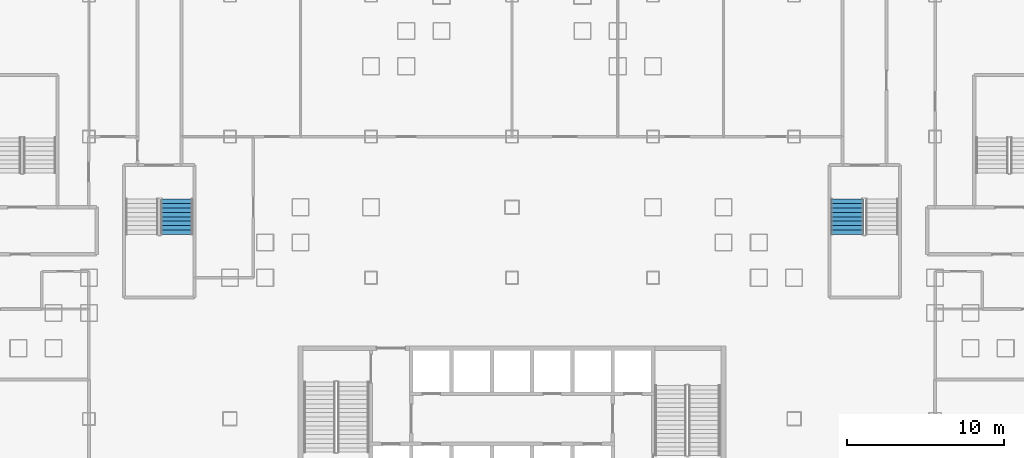
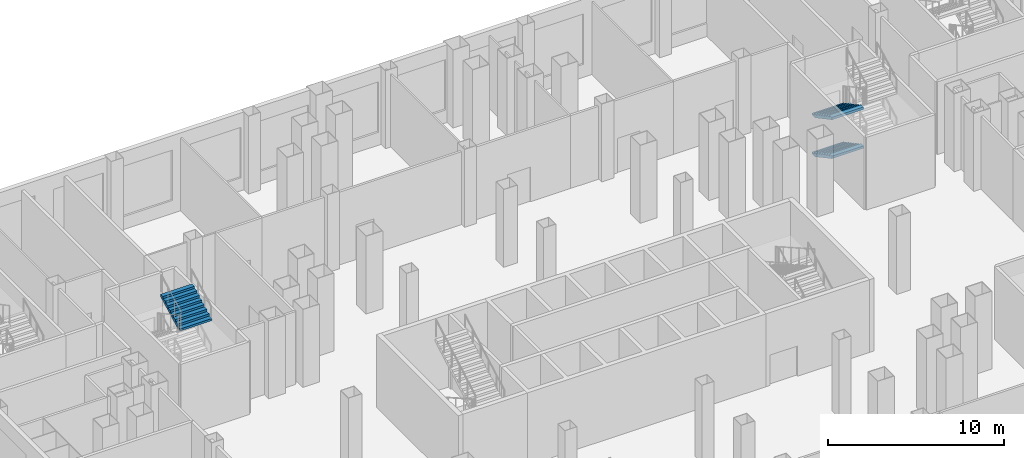
# One storey, part 17 of 26: 3 stair flights, 2 elements without a shape of their own.
"""IFC4 building model written with IfcOpenShell, lengths in metres."""

import ifcopenshell
import ifcopenshell.guid

model = None  # the IFC model being written
_history = None  # IfcOwnerHistory: only IFC2X3 demands one
_inside = {}  # id of a spatial element -> (the spatial element, [elements in it])
_under = {}  # id of a project, library or spatial element -> (it, [spatial elements below it])
_declared = {}  # id of a project -> (the project, [libraries it declares])
_typed = {}  # id of a type object -> (the type object, [elements of that type])
_made_of = {}  # id of a material, layer set ... -> (it, [elements and type objects made of it])


def new_model(schema):
    """Start an empty IFC model of exactly this schema.

    Asked for "IFC4X3", IfcOpenShell would pick the latest addendum, in which some entities
    have other attributes; the version numbers below select the first issue.
    IFC2X3 requires an IfcOwnerHistory on every rooted entity: one is made here for all.
    """
    global model, _history
    if schema == "IFC4X3":
        model = ifcopenshell.file(schema_version=(4, 3, 0, 0))
    else:
        model = ifcopenshell.file(schema=schema)
    _inside.clear()
    _under.clear()
    _declared.clear()
    _typed.clear()
    _made_of.clear()
    _history = None
    if model.schema == "IFC2X3":
        org = make("IfcOrganization", Name="unknown")
        user = make(
            "IfcPersonAndOrganization",
            ThePerson=make("IfcPerson", FamilyName="unknown"),
            TheOrganization=org,
        )
        app = make(
            "IfcApplication",
            ApplicationDeveloper=org,
            Version="unknown",
            ApplicationFullName="unknown",
            ApplicationIdentifier="unknown",
        )
        _history = make(
            "IfcOwnerHistory",
            OwningUser=user,
            OwningApplication=app,
            ChangeAction="ADDED",
            CreationDate=0,
        )
    return model


def make(cls, **values):
    """One entity of the class cls with the attributes given. An attribute that is None is left unset."""
    return model.create_entity(
        cls, **{name: value for name, value in values.items() if value is not None}
    )


def rooted(cls, **values):
    """An entity with a GlobalId (a new one), such as an element, a storey or a relation."""
    return make(cls, GlobalId=ifcopenshell.guid.new(), OwnerHistory=_history, **values)


def si_unit(unit_type, name, prefix=None):
    """IfcSIUnit, for example si_unit("LENGTHUNIT", "METRE", prefix="MILLI")."""
    return make("IfcSIUnit", UnitType=unit_type, Prefix=prefix, Name=name)


def assignment(units):
    """IfcUnitAssignment: the units of a project."""
    return None if units is None else make("IfcUnitAssignment", Units=units)


def point(xyz):
    """IfcCartesianPoint."""
    return None if xyz is None else make("IfcCartesianPoint", Coordinates=xyz)


def direction(xyz):
    """IfcDirection."""
    return None if xyz is None else make("IfcDirection", DirectionRatios=xyz)


def frame(location, z_axis=None, x_axis=None):
    """IfcAxis2Placement3D, a coordinate frame: its origin and axes. An axis left out is left unset."""
    return make(
        "IfcAxis2Placement3D",
        Location=point(location),
        Axis=direction(z_axis),
        RefDirection=direction(x_axis),
    )


def origin():
    """The frame at (0, 0, 0) with its axes left unset."""
    return frame((0.0, 0.0, 0.0))


def place(relative_to, where):
    """IfcLocalPlacement: puts the frame where relative to a parent placement (None: the world)."""
    return make(
        "IfcLocalPlacement", PlacementRelTo=relative_to, RelativePlacement=where
    )


def context(
    kind, dimensions, precision=None, world=None, true_north=None, identifier=None
):
    """IfcGeometricRepresentationContext, for example the 3D "Model" context."""
    return make(
        "IfcGeometricRepresentationContext",
        ContextIdentifier=identifier,
        ContextType=kind,
        CoordinateSpaceDimension=dimensions,
        Precision=precision,
        WorldCoordinateSystem=world,
        TrueNorth=true_north,
    )


def subcontext(parent, identifier, kind, view, scale=None):
    """IfcGeometricRepresentationSubContext, for example "Body" below "Model"."""
    return make(
        "IfcGeometricRepresentationSubContext",
        ContextIdentifier=identifier,
        ContextType=kind,
        ParentContext=parent,
        TargetScale=scale,
        TargetView=view,
    )


def project(units=None, contexts=None):
    """IfcProject with its units and contexts."""
    return rooted(
        "IfcProject",
        Name="project",
        RepresentationContexts=contexts,
        UnitsInContext=assignment(units),
    )


def spatial(cls, under=None, at=None, **own):
    """A site, building, storey or space (cls), placed at a placement, below another one or the project."""
    s = rooted(cls, ObjectPlacement=at, **own)
    if under is not None:
        _under.setdefault(under.id(), (under, []))[1].append(s)
    return s


def point_list(points):
    """IfcCartesianPointList2D or 3D."""
    cls = (
        "IfcCartesianPointList2D" if len(points[0]) == 2 else "IfcCartesianPointList3D"
    )
    return make(cls, CoordList=points)


def polygons(points, faces, closed=None, point_numbers=None):
    """IfcPolygonalFaceSet: a face is its outer loop, then its inner loops; points numbered from 1."""
    made = []
    for loops in faces:
        if len(loops) == 1:
            made.append(make("IfcIndexedPolygonalFace", CoordIndex=loops[0]))
        else:
            made.append(
                make(
                    "IfcIndexedPolygonalFaceWithVoids",
                    CoordIndex=loops[0],
                    InnerCoordIndices=loops[1:],
                )
            )
    return make(
        "IfcPolygonalFaceSet",
        Coordinates=point_list(points),
        Closed=closed,
        Faces=made,
        PnIndex=point_numbers,
    )


def shape(context_of_items, identifier, shape_type, items):
    """IfcShapeRepresentation: the items that make up one representation, for example the "Body"."""
    return make(
        "IfcShapeRepresentation",
        ContextOfItems=context_of_items,
        RepresentationIdentifier=identifier,
        RepresentationType=shape_type,
        Items=items,
    )


def material(Name=None, Category=None):
    """IfcMaterial."""
    return make("IfcMaterial", Name=Name, Category=Category)


def made_of(thing, what):
    """Note that an element or type object is made of a material, layer set ...; save() writes the relation."""
    if what is not None:
        _made_of.setdefault(what.id(), (what, []))[1].append(thing)
    return thing


def type_object(cls, material=None, **own):
    """A type object (cls), such as IfcWallType, which elements share."""
    return made_of(rooted(cls, **own), material)


def element(
    cls,
    number,
    at=None,
    inside=None,
    cuts=None,
    type_object=None,
    material=None,
    context=None,
    identifier="Body",
    shape_type=None,
    held_by="IfcProductDefinitionShape",
    body=None,
    shapes=None,
    **own,
):
    """One element of the class cls, such as IfcWall. Its Tag is "e" and its number.

    at: its placement. inside: the storey or other place that contains it. cuts: it is an
    opening in that element (IfcRelVoidsElement). A single representation is given by context,
    identifier, shape_type and body (its items); several are given by shapes. held_by: the class
    of the entity that holds the representations. save() writes the other relations.
    """
    e = rooted(cls, Tag="e%d" % number, ObjectPlacement=at, **own)
    if body is not None:
        shapes = [shape(context, identifier, shape_type, body)]
    if shapes is not None:
        e.Representation = make(held_by, Representations=shapes)
    if inside is not None:
        _inside.setdefault(inside.id(), (inside, []))[1].append(e)
    if cuts is not None:
        rooted(
            "IfcRelVoidsElement", RelatingBuildingElement=cuts, RelatedOpeningElement=e
        )
    if type_object is not None:
        _typed.setdefault(type_object.id(), (type_object, []))[1].append(e)
    return made_of(e, material)


def aggregate(whole, parts):
    """IfcRelAggregates: a whole, such as a stair, and the parts it consists of."""
    return rooted("IfcRelAggregates", RelatingObject=whole, RelatedObjects=parts)


def save(model, path):
    """Write the relations noted so far, then the file.

    IfcRelAggregates (storeys below a building ...), IfcRelContainedInSpatialStructure (elements
    in a storey), IfcRelDefinesByType, IfcRelAssociatesMaterial and IfcRelDeclares: one each for
    every whole, place, type object, material and project.
    """
    for whole, parts in _under.values():
        aggregate(whole, parts)
    for where, things in _inside.values():
        rooted(
            "IfcRelContainedInSpatialStructure",
            RelatedElements=things,
            RelatingStructure=where,
        )
    for kind, things in _typed.values():
        rooted("IfcRelDefinesByType", RelatedObjects=things, RelatingType=kind)
    for what, things in _made_of.values():
        rooted("IfcRelAssociatesMaterial", RelatedObjects=things, RelatingMaterial=what)
    for by, libraries in _declared.values():
        rooted("IfcRelDeclares", RelatingContext=by, RelatedDefinitions=libraries)
    model.write(path)


model = new_model("IFC4")

# Units and contexts
model_context = context("Model", 3, precision=1e-05, world=origin(), true_north=direction((0.0, 1.0)))
body_context = subcontext(model_context, "Body", "Model", "MODEL_VIEW")
ifc_project = project(units=[si_unit("LENGTHUNIT", "METRE"), si_unit("AREAUNIT", "SQUARE_METRE"), si_unit("VOLUMEUNIT", "CUBIC_METRE"), si_unit("PLANEANGLEUNIT", "RADIAN"), si_unit("MASSUNIT", "GRAM", prefix="KILO")], contexts=[model_context])

# Site, building, storey
site_placement = place(None, origin())
site = spatial("IfcSite", under=ifc_project, at=site_placement, CompositionType="ELEMENT")
building_placement = place(site_placement, origin())
building = spatial("IfcBuilding", under=site, at=building_placement, Name="Caravel Reach Hotel and Residences", CompositionType="ELEMENT")
storey_placement = place(building_placement, frame((0.0, 0.0, 12.0)))
storey = spatial("IfcBuildingStorey", under=building, at=storey_placement, Name="L02", CompositionType="ELEMENT", Elevation=12.0)

# Stair, stair flight
ifc_material_1 = material(Name="Concrete C40", Category="concrete")
stair_type = type_object("IfcStairType", Name="Core stair", PredefinedType="HALF_TURN_STAIR", material=ifc_material_1)
stair_1_placement = place(storey_placement, origin())
stair_1 = element("IfcStair", 1, at=stair_1_placement, inside=storey, type_object=stair_type, Name="L02 Exit stair P1", PredefinedType="HALF_TURN_STAIR")
ifc_material_2 = material(Name="Concrete C40", Category="concrete")
stair_flight_type = type_object("IfcStairFlightType", Name="Core stair flight", PredefinedType="STRAIGHT", material=ifc_material_2)
stair_flight_1_placement = place(storey_placement, frame((10.110107421875, 38.77001953125, 4.050048828125), z_axis=(0.0, 0.0, 1.0), x_axis=(0.0, 1.0, 0.0)))
stair_flight_1 = element("IfcStairFlight", 2, at=stair_flight_1_placement, type_object=stair_flight_type, Name="ST-P1 flight 4", NumberOfRisers=9, NumberOfTreads=8, PredefinedType="STRAIGHT", RiserHeight=0.15, TreadLength=0.28, context=body_context, shape_type="Tessellation", body=[
    polygons([(0.3174408016601864, 1.0350341796875, 0.0), (0.3174408016601864, 0.6900227864583333, 0.0), (0.3174408016601864, 0.34501139322916663, 0.0), (0.3174408016601864, 0.0, 0.0), (0.3174408016601864, -0.34501139322916674, 0.0), (0.3174408016601864, -0.6900227864583333, 0.0), (0.3174408016601864, -1.0350341796875, 0.0), (2.241, 1.0350341796875, 1.029942427682043), (2.241, 0.6900227864583333, 1.029942427682043), (2.241, 0.34501139322916663, 1.029942427682043), (2.241, 0.0, 1.029942427682043), (2.241, -0.34501139322916674, 1.029942427682043), (2.241, -0.6900227864583333, 1.029942427682043), (2.241, -1.0350341796875, 1.029942427682043), (2.241, 1.0350341796875, 1.2), (2.241, 0.6900227864583333, 1.2), (2.241, 0.34501139322916663, 1.2), (2.241, 0.0, 1.2), (2.241, -0.34501139322916674, 1.2), (2.241, -0.6900227864583333, 1.2), (2.241, -1.0350341796875, 1.2), (1.9600000000000002, 1.0350341796875, 1.2), (1.9600000000000002, 0.6900227864583333, 1.2), (1.9600000000000002, 0.34501139322916663, 1.2), (1.9600000000000002, 0.0, 1.2), (1.9600000000000002, -0.34501139322916674, 1.2), (1.9600000000000002, -0.6900227864583333, 1.2), (1.9600000000000002, -1.0350341796875, 1.2), (1.9600000000000002, 1.0350341796875, 1.05), (1.9600000000000002, 0.6900227864583333, 1.05), (1.9600000000000002, 0.34501139322916663, 1.05), (1.9600000000000002, 0.0, 1.05), (1.9600000000000002, -0.34501139322916674, 1.05), (1.9600000000000002, -0.6900227864583333, 1.05), (1.9600000000000002, -1.0350341796875, 1.05), (1.6800000000000002, 1.0350341796875, 1.05), (1.6800000000000002, 0.6900227864583333, 1.05), (1.6800000000000002, 0.34501139322916663, 1.05), (1.6800000000000002, 0.0, 1.05), (1.6800000000000002, -0.34501139322916674, 1.05), (1.6800000000000002, -0.6900227864583333, 1.05), (1.6800000000000002, -1.0350341796875, 1.05), (1.6800000000000002, 1.0350341796875, 0.8999999999999999), (1.6800000000000002, 0.6900227864583333, 0.8999999999999999), (1.6800000000000002, 0.34501139322916663, 0.8999999999999999), (1.6800000000000002, 0.0, 0.8999999999999999), (1.6800000000000002, -0.34501139322916674, 0.8999999999999999), (1.6800000000000002, -0.6900227864583333, 0.8999999999999999), (1.6800000000000002, -1.0350341796875, 0.8999999999999999), (1.4000000000000001, 1.0350341796875, 0.8999999999999999), (1.4000000000000001, 0.6900227864583333, 0.8999999999999999), (1.4000000000000001, 0.34501139322916663, 0.8999999999999999), (1.4000000000000001, 0.0, 0.8999999999999999), (1.4000000000000001, -0.34501139322916674, 0.8999999999999999), (1.4000000000000001, -0.6900227864583333, 0.8999999999999999), (1.4000000000000001, -1.0350341796875, 0.8999999999999999), (1.4000000000000001, 1.0350341796875, 0.75), (1.4000000000000001, 0.6900227864583333, 0.75), (1.4000000000000001, 0.34501139322916663, 0.75), (1.4000000000000001, 0.0, 0.75), (1.4000000000000001, -0.34501139322916674, 0.75), (1.4000000000000001, -0.6900227864583333, 0.75), (1.4000000000000001, -1.0350341796875, 0.75), (1.12, 1.0350341796875, 0.75), (1.12, 0.6900227864583333, 0.75), (1.12, 0.34501139322916663, 0.75), (1.12, 0.0, 0.75), (1.12, -0.34501139322916674, 0.75), (1.12, -0.6900227864583333, 0.75), (1.12, -1.0350341796875, 0.75), (1.12, 1.0350341796875, 0.6), (1.12, 0.6900227864583333, 0.6), (1.12, 0.34501139322916663, 0.6), (1.12, 0.0, 0.6), (1.12, -0.34501139322916674, 0.6), (1.12, -0.6900227864583333, 0.6), (1.12, -1.0350341796875, 0.6), (0.8400000000000001, 1.0350341796875, 0.6), (0.8400000000000001, 0.6900227864583333, 0.6), (0.8400000000000001, 0.34501139322916663, 0.6), (0.8400000000000001, 0.0, 0.6), (0.8400000000000001, -0.34501139322916674, 0.6), (0.8400000000000001, -0.6900227864583333, 0.6), (0.8400000000000001, -1.0350341796875, 0.6), (0.8400000000000001, 1.0350341796875, 0.44999999999999996), (0.8400000000000001, 0.6900227864583333, 0.44999999999999996), (0.8400000000000001, 0.34501139322916663, 0.44999999999999996), (0.8400000000000001, 0.0, 0.44999999999999996), (0.8400000000000001, -0.34501139322916674, 0.44999999999999996), (0.8400000000000001, -0.6900227864583333, 0.44999999999999996), (0.8400000000000001, -1.0350341796875, 0.44999999999999996), (0.56, 1.0350341796875, 0.44999999999999996), (0.56, 0.6900227864583333, 0.44999999999999996), (0.56, 0.34501139322916663, 0.44999999999999996), (0.56, 0.0, 0.44999999999999996), (0.56, -0.34501139322916674, 0.44999999999999996), (0.56, -0.6900227864583333, 0.44999999999999996), (0.56, -1.0350341796875, 0.44999999999999996), (0.56, 1.0350341796875, 0.3), (0.56, 0.6900227864583333, 0.3), (0.56, 0.34501139322916663, 0.3), (0.56, 0.0, 0.3), (0.56, -0.34501139322916674, 0.3), (0.56, -0.6900227864583333, 0.3), (0.56, -1.0350341796875, 0.3), (0.28, 1.0350341796875, 0.3), (0.28, 0.6900227864583333, 0.3), (0.28, 0.34501139322916663, 0.3), (0.28, 0.0, 0.3), (0.28, -0.34501139322916674, 0.3), (0.28, -0.6900227864583333, 0.3), (0.28, -1.0350341796875, 0.3), (0.28, 1.0350341796875, 0.15), (0.28, 0.6900227864583333, 0.15), (0.28, 0.34501139322916663, 0.15), (0.28, 0.0, 0.15), (0.28, -0.34501139322916674, 0.15), (0.28, -0.6900227864583333, 0.15), (0.28, -1.0350341796875, 0.15), (-0.001, 1.0350341796875, 0.15), (-0.001, 0.6900227864583333, 0.15), (-0.001, 0.34501139322916663, 0.15), (-0.001, 0.0, 0.15), (-0.001, -0.34501139322916674, 0.15), (-0.001, -0.6900227864583333, 0.15), (-0.001, -1.0350341796875, 0.15), (-0.001, 1.0350341796875, 0.0), (-0.001, 0.6900227864583333, 0.0), (-0.001, 0.34501139322916663, 0.0), (-0.001, 0.0, 0.0), (-0.001, -0.34501139322916674, 0.0), (-0.001, -0.6900227864583333, 0.0), (-0.001, -1.0350341796875, 0.0)], [[[127, 120, 113, 106, 99, 92, 85, 78, 71, 64, 57, 50, 43, 36, 29, 22, 15, 8, 1]], [[7, 14, 21, 28, 35, 42, 49, 56, 63, 70, 77, 84, 91, 98, 105, 112, 119, 126, 133]], [[1, 8, 9, 2]], [[2, 9, 10, 3]], [[3, 10, 11, 4]], [[4, 11, 12, 5]], [[5, 12, 13, 6]], [[6, 13, 14, 7]], [[8, 15, 16, 9]], [[9, 16, 17, 10]], [[10, 17, 18, 11]], [[11, 18, 19, 12]], [[12, 19, 20, 13]], [[13, 20, 21, 14]], [[15, 22, 23, 16]], [[16, 23, 24, 17]], [[17, 24, 25, 18]], [[18, 25, 26, 19]], [[19, 26, 27, 20]], [[20, 27, 28, 21]], [[22, 29, 30, 23]], [[23, 30, 31, 24]], [[24, 31, 32, 25]], [[25, 32, 33, 26]], [[26, 33, 34, 27]], [[27, 34, 35, 28]], [[29, 36, 37, 30]], [[30, 37, 38, 31]], [[31, 38, 39, 32]], [[32, 39, 40, 33]], [[33, 40, 41, 34]], [[34, 41, 42, 35]], [[36, 43, 44, 37]], [[37, 44, 45, 38]], [[38, 45, 46, 39]], [[39, 46, 47, 40]], [[40, 47, 48, 41]], [[41, 48, 49, 42]], [[43, 50, 51, 44]], [[44, 51, 52, 45]], [[45, 52, 53, 46]], [[46, 53, 54, 47]], [[47, 54, 55, 48]], [[48, 55, 56, 49]], [[50, 57, 58, 51]], [[51, 58, 59, 52]], [[52, 59, 60, 53]], [[53, 60, 61, 54]], [[54, 61, 62, 55]], [[55, 62, 63, 56]], [[57, 64, 65, 58]], [[58, 65, 66, 59]], [[59, 66, 67, 60]], [[60, 67, 68, 61]], [[61, 68, 69, 62]], [[62, 69, 70, 63]], [[64, 71, 72, 65]], [[65, 72, 73, 66]], [[66, 73, 74, 67]], [[67, 74, 75, 68]], [[68, 75, 76, 69]], [[69, 76, 77, 70]], [[71, 78, 79, 72]], [[72, 79, 80, 73]], [[73, 80, 81, 74]], [[74, 81, 82, 75]], [[75, 82, 83, 76]], [[76, 83, 84, 77]], [[78, 85, 86, 79]], [[79, 86, 87, 80]], [[80, 87, 88, 81]], [[81, 88, 89, 82]], [[82, 89, 90, 83]], [[83, 90, 91, 84]], [[85, 92, 93, 86]], [[86, 93, 94, 87]], [[87, 94, 95, 88]], [[88, 95, 96, 89]], [[89, 96, 97, 90]], [[90, 97, 98, 91]], [[92, 99, 100, 93]], [[93, 100, 101, 94]], [[94, 101, 102, 95]], [[95, 102, 103, 96]], [[96, 103, 104, 97]], [[97, 104, 105, 98]], [[99, 106, 107, 100]], [[100, 107, 108, 101]], [[101, 108, 109, 102]], [[102, 109, 110, 103]], [[103, 110, 111, 104]], [[104, 111, 112, 105]], [[106, 113, 114, 107]], [[107, 114, 115, 108]], [[108, 115, 116, 109]], [[109, 116, 117, 110]], [[110, 117, 118, 111]], [[111, 118, 119, 112]], [[113, 120, 121, 114]], [[114, 121, 122, 115]], [[115, 122, 123, 116]], [[116, 123, 124, 117]], [[117, 124, 125, 118]], [[118, 125, 126, 119]], [[120, 127, 128, 121]], [[121, 128, 129, 122]], [[122, 129, 130, 123]], [[123, 130, 131, 124]], [[124, 131, 132, 125]], [[125, 132, 133, 126]], [[127, 1, 2, 128]], [[128, 2, 3, 129]], [[129, 3, 4, 130]], [[130, 4, 5, 131]], [[131, 5, 6, 132]], [[132, 6, 7, 133]]], closed=True),
])
aggregate(stair_1, [stair_flight_1])

# Stair, stair flights
stair_2_placement = place(storey_placement, origin())
stair_2 = element("IfcStair", 3, at=stair_2_placement, inside=storey, type_object=stair_type, Name="L02 Exit stair P2", PredefinedType="HALF_TURN_STAIR")
stair_flight_2_placement = place(storey_placement, frame((52.889892578125, 41.010009765625, 0.0), z_axis=(0.0, 0.0, 1.0), x_axis=(0.0, -1.0, 0.0)))
stair_flight_2 = element("IfcStairFlight", 4, at=stair_flight_2_placement, type_object=stair_flight_type, Name="ST-P2 flight 1", NumberOfRisers=9, NumberOfTreads=8, PredefinedType="STRAIGHT", RiserHeight=0.15, TreadLength=0.28, context=body_context, shape_type="Tessellation", body=[
    polygons([(0.3174408016601864, 1.0350341796875, 0.0), (0.3174408016601864, 0.6900227864583333, 0.0), (0.3174408016601864, 0.34501139322916663, 0.0), (0.3174408016601864, 0.0, 0.0), (0.3174408016601864, -0.34501139322916674, 0.0), (0.3174408016601864, -0.6900227864583333, 0.0), (0.3174408016601864, -1.0350341796875, 0.0), (2.241, 1.0350341796875, 1.029942427682043), (2.241, 0.6900227864583333, 1.029942427682043), (2.241, 0.34501139322916663, 1.029942427682043), (2.241, 0.0, 1.029942427682043), (2.241, -0.34501139322916674, 1.029942427682043), (2.241, -0.6900227864583333, 1.029942427682043), (2.241, -1.0350341796875, 1.029942427682043), (2.241, 1.0350341796875, 1.2), (2.241, 0.6900227864583333, 1.2), (2.241, 0.34501139322916663, 1.2), (2.241, 0.0, 1.2), (2.241, -0.34501139322916674, 1.2), (2.241, -0.6900227864583333, 1.2), (2.241, -1.0350341796875, 1.2), (1.9600000000000002, 1.0350341796875, 1.2), (1.9600000000000002, 0.6900227864583333, 1.2), (1.9600000000000002, 0.34501139322916663, 1.2), (1.9600000000000002, 0.0, 1.2), (1.9600000000000002, -0.34501139322916674, 1.2), (1.9600000000000002, -0.6900227864583333, 1.2), (1.9600000000000002, -1.0350341796875, 1.2), (1.9600000000000002, 1.0350341796875, 1.05), (1.9600000000000002, 0.6900227864583333, 1.05), (1.9600000000000002, 0.34501139322916663, 1.05), (1.9600000000000002, 0.0, 1.05), (1.9600000000000002, -0.34501139322916674, 1.05), (1.9600000000000002, -0.6900227864583333, 1.05), (1.9600000000000002, -1.0350341796875, 1.05), (1.6800000000000002, 1.0350341796875, 1.05), (1.6800000000000002, 0.6900227864583333, 1.05), (1.6800000000000002, 0.34501139322916663, 1.05), (1.6800000000000002, 0.0, 1.05), (1.6800000000000002, -0.34501139322916674, 1.05), (1.6800000000000002, -0.6900227864583333, 1.05), (1.6800000000000002, -1.0350341796875, 1.05), (1.6800000000000002, 1.0350341796875, 0.8999999999999999), (1.6800000000000002, 0.6900227864583333, 0.8999999999999999), (1.6800000000000002, 0.34501139322916663, 0.8999999999999999), (1.6800000000000002, 0.0, 0.8999999999999999), (1.6800000000000002, -0.34501139322916674, 0.8999999999999999), (1.6800000000000002, -0.6900227864583333, 0.8999999999999999), (1.6800000000000002, -1.0350341796875, 0.8999999999999999), (1.4000000000000001, 1.0350341796875, 0.8999999999999999), (1.4000000000000001, 0.6900227864583333, 0.8999999999999999), (1.4000000000000001, 0.34501139322916663, 0.8999999999999999), (1.4000000000000001, 0.0, 0.8999999999999999), (1.4000000000000001, -0.34501139322916674, 0.8999999999999999), (1.4000000000000001, -0.6900227864583333, 0.8999999999999999), (1.4000000000000001, -1.0350341796875, 0.8999999999999999), (1.4000000000000001, 1.0350341796875, 0.75), (1.4000000000000001, 0.6900227864583333, 0.75), (1.4000000000000001, 0.34501139322916663, 0.75), (1.4000000000000001, 0.0, 0.75), (1.4000000000000001, -0.34501139322916674, 0.75), (1.4000000000000001, -0.6900227864583333, 0.75), (1.4000000000000001, -1.0350341796875, 0.75), (1.12, 1.0350341796875, 0.75), (1.12, 0.6900227864583333, 0.75), (1.12, 0.34501139322916663, 0.75), (1.12, 0.0, 0.75), (1.12, -0.34501139322916674, 0.75), (1.12, -0.6900227864583333, 0.75), (1.12, -1.0350341796875, 0.75), (1.12, 1.0350341796875, 0.6), (1.12, 0.6900227864583333, 0.6), (1.12, 0.34501139322916663, 0.6), (1.12, 0.0, 0.6), (1.12, -0.34501139322916674, 0.6), (1.12, -0.6900227864583333, 0.6), (1.12, -1.0350341796875, 0.6), (0.8400000000000001, 1.0350341796875, 0.6), (0.8400000000000001, 0.6900227864583333, 0.6), (0.8400000000000001, 0.34501139322916663, 0.6), (0.8400000000000001, 0.0, 0.6), (0.8400000000000001, -0.34501139322916674, 0.6), (0.8400000000000001, -0.6900227864583333, 0.6), (0.8400000000000001, -1.0350341796875, 0.6), (0.8400000000000001, 1.0350341796875, 0.44999999999999996), (0.8400000000000001, 0.6900227864583333, 0.44999999999999996), (0.8400000000000001, 0.34501139322916663, 0.44999999999999996), (0.8400000000000001, 0.0, 0.44999999999999996), (0.8400000000000001, -0.34501139322916674, 0.44999999999999996), (0.8400000000000001, -0.6900227864583333, 0.44999999999999996), (0.8400000000000001, -1.0350341796875, 0.44999999999999996), (0.56, 1.0350341796875, 0.44999999999999996), (0.56, 0.6900227864583333, 0.44999999999999996), (0.56, 0.34501139322916663, 0.44999999999999996), (0.56, 0.0, 0.44999999999999996), (0.56, -0.34501139322916674, 0.44999999999999996), (0.56, -0.6900227864583333, 0.44999999999999996), (0.56, -1.0350341796875, 0.44999999999999996), (0.56, 1.0350341796875, 0.3), (0.56, 0.6900227864583333, 0.3), (0.56, 0.34501139322916663, 0.3), (0.56, 0.0, 0.3), (0.56, -0.34501139322916674, 0.3), (0.56, -0.6900227864583333, 0.3), (0.56, -1.0350341796875, 0.3), (0.28, 1.0350341796875, 0.3), (0.28, 0.6900227864583333, 0.3), (0.28, 0.34501139322916663, 0.3), (0.28, 0.0, 0.3), (0.28, -0.34501139322916674, 0.3), (0.28, -0.6900227864583333, 0.3), (0.28, -1.0350341796875, 0.3), (0.28, 1.0350341796875, 0.15), (0.28, 0.6900227864583333, 0.15), (0.28, 0.34501139322916663, 0.15), (0.28, 0.0, 0.15), (0.28, -0.34501139322916674, 0.15), (0.28, -0.6900227864583333, 0.15), (0.28, -1.0350341796875, 0.15), (-0.001, 1.0350341796875, 0.15), (-0.001, 0.6900227864583333, 0.15), (-0.001, 0.34501139322916663, 0.15), (-0.001, 0.0, 0.15), (-0.001, -0.34501139322916674, 0.15), (-0.001, -0.6900227864583333, 0.15), (-0.001, -1.0350341796875, 0.15), (-0.001, 1.0350341796875, 0.0), (-0.001, 0.6900227864583333, 0.0), (-0.001, 0.34501139322916663, 0.0), (-0.001, 0.0, 0.0), (-0.001, -0.34501139322916674, 0.0), (-0.001, -0.6900227864583333, 0.0), (-0.001, -1.0350341796875, 0.0)], [[[127, 120, 113, 106, 99, 92, 85, 78, 71, 64, 57, 50, 43, 36, 29, 22, 15, 8, 1]], [[7, 14, 21, 28, 35, 42, 49, 56, 63, 70, 77, 84, 91, 98, 105, 112, 119, 126, 133]], [[1, 8, 9, 2]], [[2, 9, 10, 3]], [[3, 10, 11, 4]], [[4, 11, 12, 5]], [[5, 12, 13, 6]], [[6, 13, 14, 7]], [[8, 15, 16, 9]], [[9, 16, 17, 10]], [[10, 17, 18, 11]], [[11, 18, 19, 12]], [[12, 19, 20, 13]], [[13, 20, 21, 14]], [[15, 22, 23, 16]], [[16, 23, 24, 17]], [[17, 24, 25, 18]], [[18, 25, 26, 19]], [[19, 26, 27, 20]], [[20, 27, 28, 21]], [[22, 29, 30, 23]], [[23, 30, 31, 24]], [[24, 31, 32, 25]], [[25, 32, 33, 26]], [[26, 33, 34, 27]], [[27, 34, 35, 28]], [[29, 36, 37, 30]], [[30, 37, 38, 31]], [[31, 38, 39, 32]], [[32, 39, 40, 33]], [[33, 40, 41, 34]], [[34, 41, 42, 35]], [[36, 43, 44, 37]], [[37, 44, 45, 38]], [[38, 45, 46, 39]], [[39, 46, 47, 40]], [[40, 47, 48, 41]], [[41, 48, 49, 42]], [[43, 50, 51, 44]], [[44, 51, 52, 45]], [[45, 52, 53, 46]], [[46, 53, 54, 47]], [[47, 54, 55, 48]], [[48, 55, 56, 49]], [[50, 57, 58, 51]], [[51, 58, 59, 52]], [[52, 59, 60, 53]], [[53, 60, 61, 54]], [[54, 61, 62, 55]], [[55, 62, 63, 56]], [[57, 64, 65, 58]], [[58, 65, 66, 59]], [[59, 66, 67, 60]], [[60, 67, 68, 61]], [[61, 68, 69, 62]], [[62, 69, 70, 63]], [[64, 71, 72, 65]], [[65, 72, 73, 66]], [[66, 73, 74, 67]], [[67, 74, 75, 68]], [[68, 75, 76, 69]], [[69, 76, 77, 70]], [[71, 78, 79, 72]], [[72, 79, 80, 73]], [[73, 80, 81, 74]], [[74, 81, 82, 75]], [[75, 82, 83, 76]], [[76, 83, 84, 77]], [[78, 85, 86, 79]], [[79, 86, 87, 80]], [[80, 87, 88, 81]], [[81, 88, 89, 82]], [[82, 89, 90, 83]], [[83, 90, 91, 84]], [[85, 92, 93, 86]], [[86, 93, 94, 87]], [[87, 94, 95, 88]], [[88, 95, 96, 89]], [[89, 96, 97, 90]], [[90, 97, 98, 91]], [[92, 99, 100, 93]], [[93, 100, 101, 94]], [[94, 101, 102, 95]], [[95, 102, 103, 96]], [[96, 103, 104, 97]], [[97, 104, 105, 98]], [[99, 106, 107, 100]], [[100, 107, 108, 101]], [[101, 108, 109, 102]], [[102, 109, 110, 103]], [[103, 110, 111, 104]], [[104, 111, 112, 105]], [[106, 113, 114, 107]], [[107, 114, 115, 108]], [[108, 115, 116, 109]], [[109, 116, 117, 110]], [[110, 117, 118, 111]], [[111, 118, 119, 112]], [[113, 120, 121, 114]], [[114, 121, 122, 115]], [[115, 122, 123, 116]], [[116, 123, 124, 117]], [[117, 124, 125, 118]], [[118, 125, 126, 119]], [[120, 127, 128, 121]], [[121, 128, 129, 122]], [[122, 129, 130, 123]], [[123, 130, 131, 124]], [[124, 131, 132, 125]], [[125, 132, 133, 126]], [[127, 1, 2, 128]], [[128, 2, 3, 129]], [[129, 3, 4, 130]], [[130, 4, 5, 131]], [[131, 5, 6, 132]], [[132, 6, 7, 133]]], closed=True),
])
stair_flight_3_placement = place(storey_placement, frame((52.889892578125, 41.010009765625, 2.699951171875), z_axis=(0.0, 0.0, 1.0), x_axis=(0.0, -1.0, 0.0)))
stair_flight_3 = element("IfcStairFlight", 5, at=stair_flight_3_placement, type_object=stair_flight_type, Name="ST-P2 flight 3", NumberOfRisers=9, NumberOfTreads=8, PredefinedType="STRAIGHT", RiserHeight=0.15, TreadLength=0.28, context=body_context, shape_type="Tessellation", body=[
    polygons([(0.3174408016601864, 1.0350341796875, 0.0), (0.3174408016601864, 0.6900227864583333, 0.0), (0.3174408016601864, 0.34501139322916663, 0.0), (0.3174408016601864, 0.0, 0.0), (0.3174408016601864, -0.34501139322916674, 0.0), (0.3174408016601864, -0.6900227864583333, 0.0), (0.3174408016601864, -1.0350341796875, 0.0), (2.241, 1.0350341796875, 1.029942427682043), (2.241, 0.6900227864583333, 1.029942427682043), (2.241, 0.34501139322916663, 1.029942427682043), (2.241, 0.0, 1.029942427682043), (2.241, -0.34501139322916674, 1.029942427682043), (2.241, -0.6900227864583333, 1.029942427682043), (2.241, -1.0350341796875, 1.029942427682043), (2.241, 1.0350341796875, 1.2), (2.241, 0.6900227864583333, 1.2), (2.241, 0.34501139322916663, 1.2), (2.241, 0.0, 1.2), (2.241, -0.34501139322916674, 1.2), (2.241, -0.6900227864583333, 1.2), (2.241, -1.0350341796875, 1.2), (1.9600000000000002, 1.0350341796875, 1.2), (1.9600000000000002, 0.6900227864583333, 1.2), (1.9600000000000002, 0.34501139322916663, 1.2), (1.9600000000000002, 0.0, 1.2), (1.9600000000000002, -0.34501139322916674, 1.2), (1.9600000000000002, -0.6900227864583333, 1.2), (1.9600000000000002, -1.0350341796875, 1.2), (1.9600000000000002, 1.0350341796875, 1.05), (1.9600000000000002, 0.6900227864583333, 1.05), (1.9600000000000002, 0.34501139322916663, 1.05), (1.9600000000000002, 0.0, 1.05), (1.9600000000000002, -0.34501139322916674, 1.05), (1.9600000000000002, -0.6900227864583333, 1.05), (1.9600000000000002, -1.0350341796875, 1.05), (1.6800000000000002, 1.0350341796875, 1.05), (1.6800000000000002, 0.6900227864583333, 1.05), (1.6800000000000002, 0.34501139322916663, 1.05), (1.6800000000000002, 0.0, 1.05), (1.6800000000000002, -0.34501139322916674, 1.05), (1.6800000000000002, -0.6900227864583333, 1.05), (1.6800000000000002, -1.0350341796875, 1.05), (1.6800000000000002, 1.0350341796875, 0.8999999999999999), (1.6800000000000002, 0.6900227864583333, 0.8999999999999999), (1.6800000000000002, 0.34501139322916663, 0.8999999999999999), (1.6800000000000002, 0.0, 0.8999999999999999), (1.6800000000000002, -0.34501139322916674, 0.8999999999999999), (1.6800000000000002, -0.6900227864583333, 0.8999999999999999), (1.6800000000000002, -1.0350341796875, 0.8999999999999999), (1.4000000000000001, 1.0350341796875, 0.8999999999999999), (1.4000000000000001, 0.6900227864583333, 0.8999999999999999), (1.4000000000000001, 0.34501139322916663, 0.8999999999999999), (1.4000000000000001, 0.0, 0.8999999999999999), (1.4000000000000001, -0.34501139322916674, 0.8999999999999999), (1.4000000000000001, -0.6900227864583333, 0.8999999999999999), (1.4000000000000001, -1.0350341796875, 0.8999999999999999), (1.4000000000000001, 1.0350341796875, 0.75), (1.4000000000000001, 0.6900227864583333, 0.75), (1.4000000000000001, 0.34501139322916663, 0.75), (1.4000000000000001, 0.0, 0.75), (1.4000000000000001, -0.34501139322916674, 0.75), (1.4000000000000001, -0.6900227864583333, 0.75), (1.4000000000000001, -1.0350341796875, 0.75), (1.12, 1.0350341796875, 0.75), (1.12, 0.6900227864583333, 0.75), (1.12, 0.34501139322916663, 0.75), (1.12, 0.0, 0.75), (1.12, -0.34501139322916674, 0.75), (1.12, -0.6900227864583333, 0.75), (1.12, -1.0350341796875, 0.75), (1.12, 1.0350341796875, 0.6), (1.12, 0.6900227864583333, 0.6), (1.12, 0.34501139322916663, 0.6), (1.12, 0.0, 0.6), (1.12, -0.34501139322916674, 0.6), (1.12, -0.6900227864583333, 0.6), (1.12, -1.0350341796875, 0.6), (0.8400000000000001, 1.0350341796875, 0.6), (0.8400000000000001, 0.6900227864583333, 0.6), (0.8400000000000001, 0.34501139322916663, 0.6), (0.8400000000000001, 0.0, 0.6), (0.8400000000000001, -0.34501139322916674, 0.6), (0.8400000000000001, -0.6900227864583333, 0.6), (0.8400000000000001, -1.0350341796875, 0.6), (0.8400000000000001, 1.0350341796875, 0.44999999999999996), (0.8400000000000001, 0.6900227864583333, 0.44999999999999996), (0.8400000000000001, 0.34501139322916663, 0.44999999999999996), (0.8400000000000001, 0.0, 0.44999999999999996), (0.8400000000000001, -0.34501139322916674, 0.44999999999999996), (0.8400000000000001, -0.6900227864583333, 0.44999999999999996), (0.8400000000000001, -1.0350341796875, 0.44999999999999996), (0.56, 1.0350341796875, 0.44999999999999996), (0.56, 0.6900227864583333, 0.44999999999999996), (0.56, 0.34501139322916663, 0.44999999999999996), (0.56, 0.0, 0.44999999999999996), (0.56, -0.34501139322916674, 0.44999999999999996), (0.56, -0.6900227864583333, 0.44999999999999996), (0.56, -1.0350341796875, 0.44999999999999996), (0.56, 1.0350341796875, 0.3), (0.56, 0.6900227864583333, 0.3), (0.56, 0.34501139322916663, 0.3), (0.56, 0.0, 0.3), (0.56, -0.34501139322916674, 0.3), (0.56, -0.6900227864583333, 0.3), (0.56, -1.0350341796875, 0.3), (0.28, 1.0350341796875, 0.3), (0.28, 0.6900227864583333, 0.3), (0.28, 0.34501139322916663, 0.3), (0.28, 0.0, 0.3), (0.28, -0.34501139322916674, 0.3), (0.28, -0.6900227864583333, 0.3), (0.28, -1.0350341796875, 0.3), (0.28, 1.0350341796875, 0.15), (0.28, 0.6900227864583333, 0.15), (0.28, 0.34501139322916663, 0.15), (0.28, 0.0, 0.15), (0.28, -0.34501139322916674, 0.15), (0.28, -0.6900227864583333, 0.15), (0.28, -1.0350341796875, 0.15), (-0.001, 1.0350341796875, 0.15), (-0.001, 0.6900227864583333, 0.15), (-0.001, 0.34501139322916663, 0.15), (-0.001, 0.0, 0.15), (-0.001, -0.34501139322916674, 0.15), (-0.001, -0.6900227864583333, 0.15), (-0.001, -1.0350341796875, 0.15), (-0.001, 1.0350341796875, 0.0), (-0.001, 0.6900227864583333, 0.0), (-0.001, 0.34501139322916663, 0.0), (-0.001, 0.0, 0.0), (-0.001, -0.34501139322916674, 0.0), (-0.001, -0.6900227864583333, 0.0), (-0.001, -1.0350341796875, 0.0)], [[[127, 120, 113, 106, 99, 92, 85, 78, 71, 64, 57, 50, 43, 36, 29, 22, 15, 8, 1]], [[7, 14, 21, 28, 35, 42, 49, 56, 63, 70, 77, 84, 91, 98, 105, 112, 119, 126, 133]], [[1, 8, 9, 2]], [[2, 9, 10, 3]], [[3, 10, 11, 4]], [[4, 11, 12, 5]], [[5, 12, 13, 6]], [[6, 13, 14, 7]], [[8, 15, 16, 9]], [[9, 16, 17, 10]], [[10, 17, 18, 11]], [[11, 18, 19, 12]], [[12, 19, 20, 13]], [[13, 20, 21, 14]], [[15, 22, 23, 16]], [[16, 23, 24, 17]], [[17, 24, 25, 18]], [[18, 25, 26, 19]], [[19, 26, 27, 20]], [[20, 27, 28, 21]], [[22, 29, 30, 23]], [[23, 30, 31, 24]], [[24, 31, 32, 25]], [[25, 32, 33, 26]], [[26, 33, 34, 27]], [[27, 34, 35, 28]], [[29, 36, 37, 30]], [[30, 37, 38, 31]], [[31, 38, 39, 32]], [[32, 39, 40, 33]], [[33, 40, 41, 34]], [[34, 41, 42, 35]], [[36, 43, 44, 37]], [[37, 44, 45, 38]], [[38, 45, 46, 39]], [[39, 46, 47, 40]], [[40, 47, 48, 41]], [[41, 48, 49, 42]], [[43, 50, 51, 44]], [[44, 51, 52, 45]], [[45, 52, 53, 46]], [[46, 53, 54, 47]], [[47, 54, 55, 48]], [[48, 55, 56, 49]], [[50, 57, 58, 51]], [[51, 58, 59, 52]], [[52, 59, 60, 53]], [[53, 60, 61, 54]], [[54, 61, 62, 55]], [[55, 62, 63, 56]], [[57, 64, 65, 58]], [[58, 65, 66, 59]], [[59, 66, 67, 60]], [[60, 67, 68, 61]], [[61, 68, 69, 62]], [[62, 69, 70, 63]], [[64, 71, 72, 65]], [[65, 72, 73, 66]], [[66, 73, 74, 67]], [[67, 74, 75, 68]], [[68, 75, 76, 69]], [[69, 76, 77, 70]], [[71, 78, 79, 72]], [[72, 79, 80, 73]], [[73, 80, 81, 74]], [[74, 81, 82, 75]], [[75, 82, 83, 76]], [[76, 83, 84, 77]], [[78, 85, 86, 79]], [[79, 86, 87, 80]], [[80, 87, 88, 81]], [[81, 88, 89, 82]], [[82, 89, 90, 83]], [[83, 90, 91, 84]], [[85, 92, 93, 86]], [[86, 93, 94, 87]], [[87, 94, 95, 88]], [[88, 95, 96, 89]], [[89, 96, 97, 90]], [[90, 97, 98, 91]], [[92, 99, 100, 93]], [[93, 100, 101, 94]], [[94, 101, 102, 95]], [[95, 102, 103, 96]], [[96, 103, 104, 97]], [[97, 104, 105, 98]], [[99, 106, 107, 100]], [[100, 107, 108, 101]], [[101, 108, 109, 102]], [[102, 109, 110, 103]], [[103, 110, 111, 104]], [[104, 111, 112, 105]], [[106, 113, 114, 107]], [[107, 114, 115, 108]], [[108, 115, 116, 109]], [[109, 116, 117, 110]], [[110, 117, 118, 111]], [[111, 118, 119, 112]], [[113, 120, 121, 114]], [[114, 121, 122, 115]], [[115, 122, 123, 116]], [[116, 123, 124, 117]], [[117, 124, 125, 118]], [[118, 125, 126, 119]], [[120, 127, 128, 121]], [[121, 128, 129, 122]], [[122, 129, 130, 123]], [[123, 130, 131, 124]], [[124, 131, 132, 125]], [[125, 132, 133, 126]], [[127, 1, 2, 128]], [[128, 2, 3, 129]], [[129, 3, 4, 130]], [[130, 4, 5, 131]], [[131, 5, 6, 132]], [[132, 6, 7, 133]]], closed=True),
])
aggregate(stair_2, [stair_flight_2, stair_flight_3])

save(model, "model.ifc")
